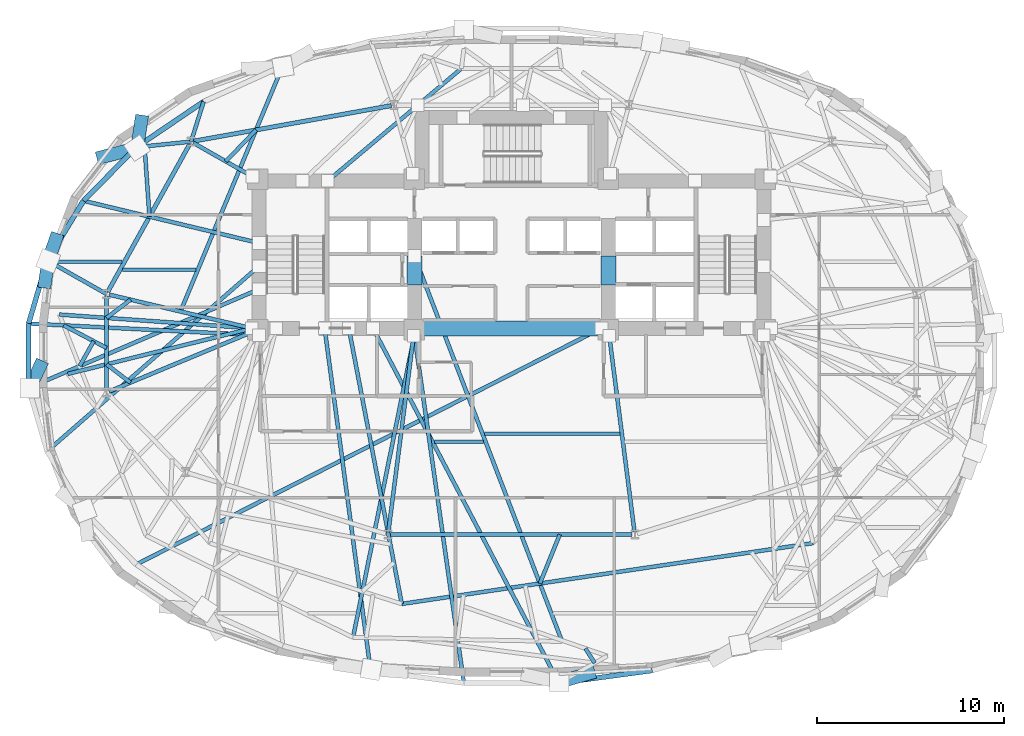
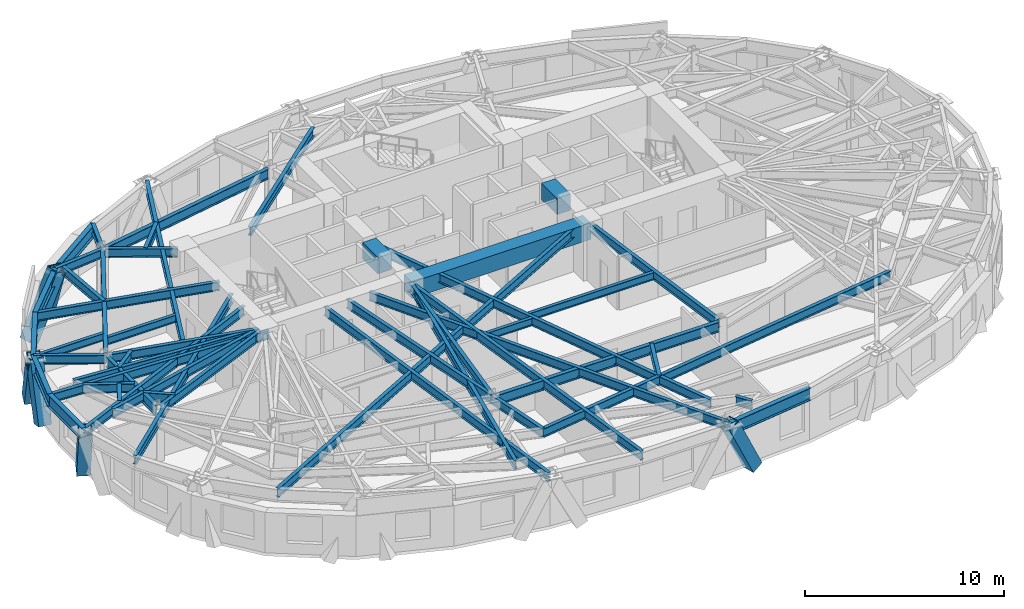
# One storey, part 2 of 13: 49 beams, 6 members.
"""IFC4 building model written with IfcOpenShell, lengths in metres."""

from ifc_helpers import new_model, si_unit, direction, frame, origin, origin_2d, place, context, subcontext, project, spatial, rectangle, hollow_rectangle, i_section, extrude, material, material_profile, profile_set, type_object, element, save


model = new_model("IFC4")

# Units and contexts
model_context = context("Model", 3, precision=1e-05, world=origin(), true_north=direction((0.0, 1.0)))
body_context = subcontext(model_context, "Body", "Model", "MODEL_VIEW")
ifc_project = project(units=[si_unit("LENGTHUNIT", "METRE"), si_unit("AREAUNIT", "SQUARE_METRE"), si_unit("VOLUMEUNIT", "CUBIC_METRE"), si_unit("PLANEANGLEUNIT", "RADIAN"), si_unit("MASSUNIT", "GRAM", prefix="KILO")], contexts=[model_context])

# Site, building, storey
site_placement = place(None, origin())
site = spatial("IfcSite", under=ifc_project, at=site_placement, CompositionType="ELEMENT")
building_placement = place(site_placement, origin())
building = spatial("IfcBuilding", under=site, at=building_placement, Name="Keldmark Tower", CompositionType="ELEMENT")
storey_placement = place(building_placement, frame((0.0, 0.0, 131.60009765625)))
storey = spatial("IfcBuildingStorey", under=building, at=storey_placement, Name="L35", CompositionType="ELEMENT", Elevation=131.60009765625)

# Beams
ifc_material_1 = material(Name="Steel ASTM A992 Grade 50", Category="steel")
ifc_material_profile_1 = material_profile(ifc_material_1, i_section(OverallWidth=0.19091796875, OverallDepth=0.45703125, WebThickness=0.009033203125, FlangeThickness=0.014404296875, at=origin_2d()), Name="W18X50")
ifc_profile_set_1 = profile_set([ifc_material_profile_1], Name="Steel ASTM A992 Grade 50")
beam_type_1 = type_object("IfcBeamType", Name="Composite Floor Joist W18X50", PredefinedType="JOIST", material=ifc_profile_set_1)
beam_1_placement = place(storey_placement, frame((-4.1240234375, -4.60009765625, 3.031494140625), z_axis=(1.0, 0.0, 0.0), x_axis=(0.0, 1.0, 0.0)))
element("IfcBeam", 1, at=beam_1_placement, inside=storey, type_object=beam_type_1, Name="L35 Composite Floor Joist J07", PredefinedType="JOIST", context=body_context, shape_type="SweptSolid", body=[
    extrude(i_section(OverallWidth=0.19091796875, OverallDepth=0.45703125, WebThickness=0.009033203125, FlangeThickness=0.014404296875, at=origin_2d()), origin(), (0.0, 0.0, 1.0), 2.6328125),
])
beam_2_placement = place(storey_placement, frame((-1.44580078125, -4.179931640625, 3.031494140625), z_axis=(1.0, 0.0, 0.0), x_axis=(0.0, 1.0, 0.0)))
element("IfcBeam", 2, at=beam_2_placement, inside=storey, type_object=beam_type_1, Name="L35 Composite Floor Joist J08", PredefinedType="JOIST", context=body_context, shape_type="SweptSolid", body=[
    extrude(i_section(OverallWidth=0.19091796875, OverallDepth=0.45703125, WebThickness=0.009033203125, FlangeThickness=0.014404296875, at=origin_2d()), origin(), (0.0, 0.0, 1.0), 7.26708984375),
])
beam_3_placement = place(storey_placement, frame((-24.548583984375, 5.0400390625, 3.031494140625), z_axis=(1.0, 0.0, 0.0), x_axis=(0.0, 1.0, 0.0)))
element("IfcBeam", 3, at=beam_3_placement, inside=storey, type_object=beam_type_1, Name="L35 Composite Floor Joist J11", PredefinedType="JOIST", context=body_context, shape_type="SweptSolid", body=[
    extrude(i_section(OverallWidth=0.19091796875, OverallDepth=0.45703125, WebThickness=0.009033203125, FlangeThickness=0.014404296875, at=origin_2d()), origin(), (0.0, 0.0, 1.0), 3.689697265625),
])
beam_4_placement = place(storey_placement, frame((-20.84912109375, 4.6201171875, 3.031494140625), z_axis=(1.0, 0.0, 0.0), x_axis=(0.0, 1.0, 0.0)))
element("IfcBeam", 4, at=beam_4_placement, inside=storey, type_object=beam_type_1, Name="L35 Composite Floor Joist J12", PredefinedType="JOIST", context=body_context, shape_type="SweptSolid", body=[
    extrude(i_section(OverallWidth=0.19091796875, OverallDepth=0.45703125, WebThickness=0.009033203125, FlangeThickness=0.014404296875, at=origin_2d()), origin(), (0.0, 0.0, 1.0), 3.94287109375),
])
ifc_material_2 = material(Name="Concrete C70/85", Category="concrete")
ifc_material_profile_2 = material_profile(ifc_material_2, rectangle(XDim=0.800048828125, YDim=1.0, at=origin_2d()), Name="RCB800X1000")
ifc_profile_set_2 = profile_set([ifc_material_profile_2], Name="Concrete C70/85")
beam_type_2 = type_object("IfcBeamType", Name="Core Coupling Beam RCB800X1000", PredefinedType="USERDEFINED", material=ifc_profile_set_2)
for number, where, z_axis, x_axis, name in (
    (5, (-5.199951171875, 3.800048828125, 2.760009765625), (0.0, 1.0, 0.0), (-1.0, 0.0, 0.0), "L35 West Core Coupling Beam"),
    (6, (5.199951171875, 3.800048828125, 2.760009765625), (0.0, 1.0, 0.0), (-1.0, 0.0, 0.0), "L35 East Core Coupling Beam"),
):
    element("IfcBeam", number, at=place(storey_placement, frame(where, z_axis=z_axis, x_axis=x_axis)), inside=storey, type_object=beam_type_2, Name=name, ObjectType="COUPLING BEAM", PredefinedType="USERDEFINED", context=body_context, shape_type="SweptSolid", body=[
        extrude(rectangle(XDim=0.800048828125, YDim=1.0, at=origin_2d()), origin(), (0.0, 0.0, 1.0), 1.550048828125),
    ])
beam_5_placement = place(storey_placement, frame((-5.199951171875, 1.47509765625, 2.760009765625), z_axis=(1.0, 0.0, 0.0), x_axis=(0.0, 1.0, 0.0)))
element("IfcBeam", 7, at=beam_5_placement, inside=storey, type_object=beam_type_2, Name="L35 Central South Core Coupling Beam", ObjectType="COUPLING BEAM", PredefinedType="USERDEFINED", context=body_context, shape_type="SweptSolid", body=[
    extrude(rectangle(XDim=0.800048828125, YDim=1.0, at=origin_2d()), origin(), (0.0, 0.0, 1.0), 10.39990234375),
])

# Members
ifc_material_3 = material(Name="Steel ASTM A572 Grade 50", Category="steel")
ifc_material_profile_3 = material_profile(ifc_material_3, hollow_rectangle(XDim=0.699951171875, YDim=0.699951171875, WallThickness=0.044921875, at=origin_2d()), Name="BOX700X700X45")
ifc_profile_set_3 = profile_set([ifc_material_profile_3], Name="Steel ASTM A572 Grade 50")
member_type = type_object("IfcMemberType", Name="Diagrid Zone 2 Brace BOX700X700X45", PredefinedType="BRACE", material=ifc_profile_set_3)
member_1_placement = place(storey_placement, frame((-19.839599609375, 12.574462890625, -0.27001953125), z_axis=(-0.059501710363, -0.388999013546, 0.919314589204), x_axis=(0.988502815253, -0.151202461081, 0.0)))
element("IfcMember", 8, at=member_1_placement, inside=storey, type_object=member_type, Name="L35 Perimeter Diagrid Brace 06B", PredefinedType="BRACE", context=body_context, shape_type="SweptSolid", body=[
    extrude(hollow_rectangle(XDim=0.699951171875, YDim=0.699951171875, WallThickness=0.044921875, at=origin_2d()), origin(), (0.0, 0.0, 1.0), 3.709228515625),
])
member_2_placement = place(storey_placement, frame((-21.91748046875, 10.656494140625, -0.27001953125), z_axis=(0.476278307764, 0.123417229338, 0.870590122306), x_axis=(-0.250843447389, 0.968027667426, 0.0)))
element("IfcMember", 9, at=member_2_placement, inside=storey, type_object=member_type, Name="L35 Perimeter Diagrid Brace 07A", PredefinedType="BRACE", context=body_context, shape_type="SweptSolid", body=[
    extrude(hollow_rectangle(XDim=0.699951171875, YDim=0.699951171875, WallThickness=0.044921875, at=origin_2d()), origin(), (0.0, 0.0, 1.0), 3.916748046875),
])
member_3_placement = place(storey_placement, frame((-24.4228515625, 6.2392578125, -0.27001953125), z_axis=(-0.111684456383, -0.318270369969, 0.941398190885), x_axis=(0.943590124458, -0.331115806063, 0.0)))
element("IfcMember", 10, at=member_3_placement, inside=storey, type_object=member_type, Name="L35 Perimeter Diagrid Brace 07B", PredefinedType="BRACE", context=body_context, shape_type="SweptSolid", body=[
    extrude(hollow_rectangle(XDim=0.699951171875, YDim=0.699951171875, WallThickness=0.044921875, at=origin_2d()), origin(), (0.0, 0.0, 1.0), 3.6220703125),
])
member_4_placement = place(storey_placement, frame((-24.991455078125, 3.9619140625, -0.27001953125), z_axis=(0.046820299466, 0.315595960606, 0.947737858908), x_axis=(-0.989173752525, 0.146749062404, 0.0)))
element("IfcMember", 11, at=member_4_placement, inside=storey, type_object=member_type, Name="L35 Perimeter Diagrid Brace 08A", PredefinedType="BRACE", context=body_context, shape_type="SweptSolid", body=[
    extrude(hollow_rectangle(XDim=0.699951171875, YDim=0.699951171875, WallThickness=0.044921875, at=origin_2d()), origin(), (0.0, 0.0, 1.0), 3.597900390625),
])
member_5_placement = place(storey_placement, frame((-25.268310546875, -0.569580078125, -0.27001953125), z_axis=(-0.150068834248, -0.319231247853, 0.935719378544), x_axis=(0.904990797858, -0.425431141071, 0.0)))
element("IfcMember", 12, at=member_5_placement, inside=storey, type_object=member_type, Name="L35 Perimeter Diagrid Brace 08B", PredefinedType="BRACE", context=body_context, shape_type="SweptSolid", body=[
    extrude(hollow_rectangle(XDim=0.699951171875, YDim=0.699951171875, WallThickness=0.044921875, at=origin_2d()), origin(), (0.0, 0.0, 1.0), 3.64404296875),
])
member_6_placement = place(storey_placement, frame((4.17578125, -17.018798828125, -0.27001953125), z_axis=(-0.42886921394, -0.119942346679, 0.895368656369), x_axis=(0.269336240125, -0.963046203334, 0.0)))
element("IfcMember", 13, at=member_6_placement, inside=storey, type_object=member_type, Name="L35 Perimeter Diagrid Brace 13A", PredefinedType="BRACE", context=body_context, shape_type="SweptSolid", body=[
    extrude(hollow_rectangle(XDim=0.699951171875, YDim=0.699951171875, WallThickness=0.044921875, at=origin_2d()), origin(), (0.0, 0.0, 1.0), 3.808349609375),
])

# Beams
ifc_material_4 = material(Name="Steel ASTM A992 Grade 50", Category="steel")
ifc_material_profile_4 = material_profile(ifc_material_4, i_section(OverallWidth=0.22900390625, OverallDepth=0.612060546875, WebThickness=0.011962890625, FlangeThickness=0.01953125, at=origin_2d()), Name="W24X84")
ifc_profile_set_4 = profile_set([ifc_material_profile_4], Name="Steel ASTM A992 Grade 50")
beam_type_3 = type_object("IfcBeamType", Name="Primary Floor Girder W24X84", PredefinedType="BEAM", material=ifc_profile_set_4)
beam_6_placement = place(storey_placement, frame((-6.4365234375, 13.40771484375, 2.953857421875), z_axis=(-0.984218266992, -0.176958760505, 0.0), x_axis=(0.176958760505, -0.984218266992, 0.0)))
element("IfcBeam", 14, at=beam_6_placement, inside=storey, type_object=beam_type_3, Name="L35 Floor Ring Girder FG-R04", PredefinedType="BEAM", context=body_context, shape_type="SweptSolid", body=[
    extrude(i_section(OverallWidth=0.22900390625, OverallDepth=0.612060546875, WebThickness=0.011962890625, FlangeThickness=0.01953125, at=origin_2d()), origin(), (0.0, 0.0, 1.0), 10.7626953125),
])
beam_7_placement = place(storey_placement, frame((-17.235107421875, 11.35595703125, 2.953857421875), z_axis=(-0.484951836703, -0.874540860154, 0.0), x_axis=(0.874540860154, -0.484951836703, 0.0)))
element("IfcBeam", 15, at=beam_7_placement, inside=storey, type_object=beam_type_3, Name="L35 Floor Ring Girder FG-R05", PredefinedType="BEAM", context=body_context, shape_type="SweptSolid", body=[
    extrude(i_section(OverallWidth=0.22900390625, OverallDepth=0.612060546875, WebThickness=0.011962890625, FlangeThickness=0.01953125, at=origin_2d()), origin(), (0.0, 0.0, 1.0), 9.060302734375),
])
beam_8_placement = place(storey_placement, frame((-21.697021484375, 3.169921875, 2.953857421875), z_axis=(0.0, -1.0, 0.0), x_axis=(1.0, 0.0, 0.0)))
element("IfcBeam", 16, at=beam_8_placement, inside=storey, type_object=beam_type_3, Name="L35 Floor Ring Girder FG-R06", PredefinedType="BEAM", context=body_context, shape_type="SweptSolid", body=[
    extrude(i_section(OverallWidth=0.22900390625, OverallDepth=0.612060546875, WebThickness=0.011962890625, FlangeThickness=0.01953125, at=origin_2d()), origin(), (0.0, 0.0, 1.0), 4.995849609375),
])
beam_9_placement = place(storey_placement, frame((-6.472900390625, -9.579345703125, 2.953857421875), z_axis=(1.0, 0.0, 0.0), x_axis=(0.0, 1.0, 0.0)))
element("IfcBeam", 17, at=beam_9_placement, inside=storey, type_object=beam_type_3, Name="L35 Floor Ring Girder FG-R09", PredefinedType="BEAM", context=body_context, shape_type="SweptSolid", body=[
    extrude(i_section(OverallWidth=0.22900390625, OverallDepth=0.612060546875, WebThickness=0.011962890625, FlangeThickness=0.01953125, at=origin_2d()), origin(), (0.0, 0.0, 1.0), 12.94580078125),
])
ifc_material_5 = material(Name="Steel ASTM A992 Grade 50", Category="steel")
ifc_material_profile_5 = material_profile(ifc_material_5, i_section(OverallWidth=0.2099609375, OverallDepth=0.537109375, WebThickness=0.010986328125, FlangeThickness=0.017333984375, at=origin_2d()), Name="W21X68")
ifc_profile_set_5 = profile_set([ifc_material_profile_5], Name="Steel ASTM A992 Grade 50")
beam_type_4 = type_object("IfcBeamType", Name="Radial Tie Girder W21X68", PredefinedType="BEAM", material=ifc_profile_set_5)
beam_10_placement = place(storey_placement, frame((-17.04541015625, 11.4091796875, 2.991455078125), z_axis=(0.86928447329, -0.494312152892, 0.0), x_axis=(0.494312152892, 0.86928447329, 0.0)))
element("IfcBeam", 18, at=beam_10_placement, inside=storey, type_object=beam_type_4, Name="L35 Floor Radial Girder FG-C05", PredefinedType="BEAM", context=body_context, shape_type="SweptSolid", body=[
    extrude(i_section(OverallWidth=0.2099609375, OverallDepth=0.537109375, WebThickness=0.010986328125, FlangeThickness=0.017333984375, at=origin_2d()), origin(), (0.0, 0.0, 1.0), 3.6435546875),
])
beam_11_placement = place(storey_placement, frame((-21.560546875, 3.27783203125, 2.991455078125), z_axis=(0.973283778272, -0.229605502879, 0.0), x_axis=(0.229605502879, 0.973283778272, 0.0)))
element("IfcBeam", 19, at=beam_11_placement, inside=storey, type_object=beam_type_4, Name="L35 Floor Radial Girder FG-C06", PredefinedType="BEAM", context=body_context, shape_type="SweptSolid", body=[
    extrude(i_section(OverallWidth=0.2099609375, OverallDepth=0.537109375, WebThickness=0.010986328125, FlangeThickness=0.017333984375, at=origin_2d()), origin(), (0.0, 0.0, 1.0), 7.85888671875),
])
beam_12_placement = place(storey_placement, frame((-21.567626953125, -1.912109375, 2.991455078125), z_axis=(0.923397393633, 0.383845350932, 0.0), x_axis=(-0.383845350932, 0.923397393633, 0.0)))
element("IfcBeam", 20, at=beam_12_placement, inside=storey, type_object=beam_type_4, Name="L35 Floor Radial Girder FG-C07", PredefinedType="BEAM", context=body_context, shape_type="SweptSolid", body=[
    extrude(i_section(OverallWidth=0.2099609375, OverallDepth=0.537109375, WebThickness=0.010986328125, FlangeThickness=0.017333984375, at=origin_2d()), origin(), (0.0, 0.0, 1.0), 8.30859375),
])
for number, where, z_axis, x_axis, name in (
    (21, (-6.594970703125, -9.4404296875, 2.991455078125), (0.127642040045, 0.991820301069, 0.0), (-0.991820301069, 0.127642040045, 0.0), "L35 Floor Radial Girder FG-C09"),
    (22, (6.594970703125, -9.4404296875, 2.991455078125), (-0.127642040045, 0.991820301069, 0.0), (-0.991820301069, -0.127642040045, 0.0), "L35 Floor Radial Girder FG-C10"),
):
    element("IfcBeam", number, at=place(storey_placement, frame(where, z_axis=z_axis, x_axis=x_axis)), inside=storey, type_object=beam_type_4, Name=name, PredefinedType="BEAM", context=body_context, shape_type="SweptSolid", body=[
        extrude(i_section(OverallWidth=0.2099609375, OverallDepth=0.537109375, WebThickness=0.010986328125, FlangeThickness=0.017333984375, at=origin_2d()), origin(), (0.0, 0.0, 1.0), 10.609619140625),
    ])
beam_13_placement = place(storey_placement, frame((-9.83935546875, 9.375, 2.991455078125), z_axis=(0.765223027073, 0.643765266877, 0.0), x_axis=(-0.643765266877, 0.765223027073, 0.0)))
element("IfcBeam", 23, at=beam_13_placement, inside=storey, type_object=beam_type_4, Name="L35 Sub-Ring Step Girder STP1-M04", PredefinedType="BEAM", context=body_context, shape_type="SweptSolid", body=[
    extrude(i_section(OverallWidth=0.2099609375, OverallDepth=0.537109375, WebThickness=0.010986328125, FlangeThickness=0.017333984375, at=origin_2d()), origin(), (0.0, 0.0, 1.0), 9.35693359375),
])
beam_14_placement = place(storey_placement, frame((-20.416748046875, -1.433837890625, 2.991455078125), z_axis=(-0.794658823742, 0.607056302042, 0.0), x_axis=(-0.607056302042, -0.794658823742, 0.0)))
element("IfcBeam", 24, at=beam_14_placement, inside=storey, type_object=beam_type_4, Name="L35 Framing Pin Header PH-003", PredefinedType="BEAM", context=body_context, shape_type="SweptSolid", body=[
    extrude(i_section(OverallWidth=0.2099609375, OverallDepth=0.537109375, WebThickness=0.010986328125, FlangeThickness=0.017333984375, at=origin_2d()), origin(), (0.0, 0.0, 1.0), 1.611083984375),
])
beam_15_placement = place(storey_placement, frame((-13.89990234375, 1.47509765625, 2.991455078125), z_axis=(-0.970676556141, -0.24038931623, 0.0), x_axis=(0.24038931623, -0.970676556141, 0.0)))
element("IfcBeam", 25, at=beam_15_placement, inside=storey, type_object=beam_type_4, Name="L35 Sub-Ring Step Girder STP1-M07", PredefinedType="BEAM", context=body_context, shape_type="SweptSolid", body=[
    extrude(i_section(OverallWidth=0.2099609375, OverallDepth=0.537109375, WebThickness=0.010986328125, FlangeThickness=0.017333984375, at=origin_2d()), origin(), (0.0, 0.0, 1.0), 10.17333984375),
])
beam_16_placement = place(storey_placement, frame((-8.71435546875, 1.47509765625, 2.991455078125), z_axis=(0.188787186137, -0.982018023435, 0.0), x_axis=(0.982018023435, 0.188787186137, 0.0)))
element("IfcBeam", 26, at=beam_16_placement, inside=storey, type_object=beam_type_4, Name="L35 Sub-Ring Step Girder STP1-M09", PredefinedType="BEAM", context=body_context, shape_type="SweptSolid", body=[
    extrude(i_section(OverallWidth=0.2099609375, OverallDepth=0.537109375, WebThickness=0.010986328125, FlangeThickness=0.017333984375, at=origin_2d()), origin(), (0.0, 0.0, 1.0), 15.0400390625),
])
beam_17_placement = place(storey_placement, frame((-5.875, -13.29443359375, 2.991455078125), z_axis=(0.989243670768, 0.14627699698, 0.0), x_axis=(-0.14627699698, 0.989243670768, 0.0)))
element("IfcBeam", 27, at=beam_17_placement, inside=storey, type_object=beam_type_4, Name="L35 Perimeter Collector Ring Beam CRG1-M09", PredefinedType="BEAM", context=body_context, shape_type="SweptSolid", body=[
    extrude(i_section(OverallWidth=0.2099609375, OverallDepth=0.537109375, WebThickness=0.010986328125, FlangeThickness=0.017333984375, at=origin_2d()), origin(), (0.0, 0.0, 1.0), 22.2783203125),
])
beam_18_placement = place(storey_placement, frame((-20.4130859375, 3.007080078125, 2.991455078125), z_axis=(-0.796077594806, -0.605194566274, 0.0), x_axis=(0.605194566274, -0.796077594806, 0.0)))
element("IfcBeam", 28, at=beam_18_placement, inside=storey, type_object=beam_type_4, Name="L35 Framing Pin Header PH-009", PredefinedType="BEAM", context=body_context, shape_type="SweptSolid", body=[
    extrude(i_section(OverallWidth=0.2099609375, OverallDepth=0.537109375, WebThickness=0.010986328125, FlangeThickness=0.017333984375, at=origin_2d()), origin(), (0.0, 0.0, 1.0), 1.61279296875),
])
beam_19_placement = place(storey_placement, frame((-13.89990234375, 1.47509765625, 2.991455078125), z_axis=(-0.997466717725, 0.071134710456, 0.0), x_axis=(-0.071134710456, -0.997466717725, 0.0)))
element("IfcBeam", 29, at=beam_19_placement, inside=storey, type_object=beam_type_4, Name="L35 Sub-Ring Step Girder STP2-M07", PredefinedType="BEAM", context=body_context, shape_type="SweptSolid", body=[
    extrude(i_section(OverallWidth=0.2099609375, OverallDepth=0.537109375, WebThickness=0.010986328125, FlangeThickness=0.017333984375, at=origin_2d()), origin(), (0.0, 0.0, 1.0), 10.34765625),
])
beam_20_placement = place(storey_placement, frame((-5.199951171875, 1.10009765625, 2.991455078125), z_axis=(-0.198999610874, -0.979999568812, 0.0), x_axis=(0.979999568812, -0.198999610874, 0.0)))
element("IfcBeam", 30, at=beam_20_placement, inside=storey, type_object=beam_type_4, Name="L35 Sub-Ring Step Girder STP2-M09", PredefinedType="BEAM", context=body_context, shape_type="SweptSolid", body=[
    extrude(i_section(OverallWidth=0.2099609375, OverallDepth=0.537109375, WebThickness=0.010986328125, FlangeThickness=0.017333984375, at=origin_2d()), origin(), (0.0, 0.0, 1.0), 16.521728515625),
])
beam_21_placement = place(storey_placement, frame((2.589111328125, -9.579345703125, 2.991455078125), z_axis=(-0.376562201286, -0.926391336619, 0.0), x_axis=(0.926391336619, -0.376562201286, 0.0)))
element("IfcBeam", 31, at=beam_21_placement, inside=storey, type_object=beam_type_4, Name="L35 Framing Pin Header PH-012", PredefinedType="BEAM", context=body_context, shape_type="SweptSolid", body=[
    extrude(i_section(OverallWidth=0.2099609375, OverallDepth=0.537109375, WebThickness=0.010986328125, FlangeThickness=0.017333984375, at=origin_2d()), origin(), (0.0, 0.0, 1.0), 2.829345703125),
])
beam_22_placement = place(storey_placement, frame((-5.199951171875, 5.35009765625, 2.991455078125), z_axis=(0.357739406465, -0.933821458878, 0.0), x_axis=(0.933821458878, 0.357739406465, 0.0)))
element("IfcBeam", 32, at=beam_22_placement, inside=storey, type_object=beam_type_4, Name="L35 Sub-Ring Step Girder STP2-M10", PredefinedType="BEAM", context=body_context, shape_type="SweptSolid", body=[
    extrude(i_section(OverallWidth=0.2099609375, OverallDepth=0.537109375, WebThickness=0.010986328125, FlangeThickness=0.017333984375, at=origin_2d()), origin(), (0.0, 0.0, 1.0), 22.123779296875),
])
beam_23_placement = place(storey_placement, frame((-15.303466796875, 10.418701171875, 2.991455078125), z_axis=(0.692322938511, 0.721587797023, 0.0), x_axis=(-0.721587797023, 0.692322938511, 0.0)))
element("IfcBeam", 33, at=beam_23_placement, inside=storey, type_object=beam_type_4, Name="L35 Framing Pin Header PH-019", PredefinedType="BEAM", context=body_context, shape_type="SweptSolid", body=[
    extrude(i_section(OverallWidth=0.2099609375, OverallDepth=0.537109375, WebThickness=0.010986328125, FlangeThickness=0.017333984375, at=origin_2d()), origin(), (0.0, 0.0, 1.0), 2.3359375),
])
beam_24_placement = place(storey_placement, frame((-17.736083984375, 2.375732421875, 2.991455078125), z_axis=(0.384305341623, 0.923206046557, 0.0), x_axis=(-0.923206046557, 0.384305341623, 0.0)))
element("IfcBeam", 34, at=beam_24_placement, inside=storey, type_object=beam_type_4, Name="L35 Perimeter Radial Tie Girder RT-11", PredefinedType="BEAM", context=body_context, shape_type="SweptSolid", body=[
    extrude(i_section(OverallWidth=0.2099609375, OverallDepth=0.537109375, WebThickness=0.010986328125, FlangeThickness=0.017333984375, at=origin_2d()), origin(), (0.0, 0.0, 1.0), 14.2587890625),
])
beam_25_placement = place(storey_placement, frame((-17.1669921875, 11.478271484375, 2.991455078125), z_axis=(0.299673911383, 0.954041690303, 0.0), x_axis=(-0.954041690303, 0.299673911383, 0.0)))
element("IfcBeam", 35, at=beam_25_placement, inside=storey, type_object=beam_type_4, Name="L35 Perimeter Column Bracket RT-12", PredefinedType="BEAM", context=body_context, shape_type="SweptSolid", body=[
    extrude(i_section(OverallWidth=0.2099609375, OverallDepth=0.537109375, WebThickness=0.010986328125, FlangeThickness=0.017333984375, at=origin_2d()), origin(), (0.0, 0.0, 1.0), 2.245361328125),
])
beam_26_placement = place(storey_placement, frame((-17.1669921875, 11.478271484375, 2.991455078125), z_axis=(-0.994793936975, -0.101906932829, 0.0), x_axis=(0.101906932829, -0.994793936975, 0.0)))
element("IfcBeam", 36, at=beam_26_placement, inside=storey, type_object=beam_type_4, Name="L35 Perimeter Column Bracket RT-13", PredefinedType="BEAM", context=body_context, shape_type="SweptSolid", body=[
    extrude(i_section(OverallWidth=0.2099609375, OverallDepth=0.537109375, WebThickness=0.010986328125, FlangeThickness=0.017333984375, at=origin_2d()), origin(), (0.0, 0.0, 1.0), 2.94677734375),
])
beam_27_placement = place(storey_placement, frame((-19.65869140625, 11.222900390625, 2.991455078125), z_axis=(0.06911940974, -0.997608393708, 0.0), x_axis=(0.997608393708, 0.06911940974, 0.0)))
element("IfcBeam", 37, at=beam_27_placement, inside=storey, type_object=beam_type_4, Name="L35 Framing Pin Header PH-020", PredefinedType="BEAM", context=body_context, shape_type="SweptSolid", body=[
    extrude(i_section(OverallWidth=0.2099609375, OverallDepth=0.537109375, WebThickness=0.010986328125, FlangeThickness=0.017333984375, at=origin_2d()), origin(), (0.0, 0.0, 1.0), 3.77587890625),
])
beam_28_placement = place(storey_placement, frame((-13.52490234375, 6.04296875, 2.991455078125), z_axis=(-0.972252663878, 0.233933233172, 0.0), x_axis=(-0.233933233172, -0.972252663878, 0.0)))
element("IfcBeam", 38, at=beam_28_placement, inside=storey, type_object=beam_type_4, Name="L35 Perimeter Radial Tie Girder RT-14", PredefinedType="BEAM", context=body_context, shape_type="SweptSolid", body=[
    extrude(i_section(OverallWidth=0.2099609375, OverallDepth=0.537109375, WebThickness=0.010986328125, FlangeThickness=0.017333984375, at=origin_2d()), origin(), (0.0, 0.0, 1.0), 9.67333984375),
])
beam_29_placement = place(storey_placement, frame((-21.697021484375, 3.309814453125, 2.991455078125), z_axis=(-0.869901017137, 0.493226337886, 0.0), x_axis=(-0.493226337886, -0.869901017137, 0.0)))
element("IfcBeam", 39, at=beam_29_placement, inside=storey, type_object=beam_type_4, Name="L35 Perimeter Column Bracket RT-15", PredefinedType="BEAM", context=body_context, shape_type="SweptSolid", body=[
    extrude(i_section(OverallWidth=0.2099609375, OverallDepth=0.537109375, WebThickness=0.010986328125, FlangeThickness=0.017333984375, at=origin_2d()), origin(), (0.0, 0.0, 1.0), 3.659423828125),
])
beam_30_placement = place(storey_placement, frame((-21.697021484375, 0.422119140625, 2.991455078125), z_axis=(-0.884885586203, 0.465808436303, 0.0), x_axis=(-0.465808436303, -0.884885586203, 0.0)))
element("IfcBeam", 40, at=beam_30_placement, inside=storey, type_object=beam_type_4, Name="L35 Framing Pin Header PH-021", PredefinedType="BEAM", context=body_context, shape_type="SweptSolid", body=[
    extrude(i_section(OverallWidth=0.2099609375, OverallDepth=0.537109375, WebThickness=0.010986328125, FlangeThickness=0.017333984375, at=origin_2d()), origin(), (0.0, 0.0, 1.0), 2.596435546875),
])
beam_31_placement = place(storey_placement, frame((-13.52490234375, 1.10009765625, 2.991455078125), z_axis=(-0.998713890105, 0.05070074666, 0.0), x_axis=(-0.05070074666, -0.998713890105, 0.0)))
element("IfcBeam", 41, at=beam_31_placement, inside=storey, type_object=beam_type_4, Name="L35 Perimeter Radial Tie Girder RT-16", PredefinedType="BEAM", context=body_context, shape_type="SweptSolid", body=[
    extrude(i_section(OverallWidth=0.2099609375, OverallDepth=0.537109375, WebThickness=0.010986328125, FlangeThickness=0.017333984375, at=origin_2d()), origin(), (0.0, 0.0, 1.0), 12.36572265625),
])
beam_32_placement = place(storey_placement, frame((-22.38623046875, 0.784912109375, 2.991455078125), z_axis=(-0.490480057531, -0.871452415892, 0.0), x_axis=(0.871452415892, -0.490480057531, 0.0)))
element("IfcBeam", 42, at=beam_32_placement, inside=storey, type_object=beam_type_4, Name="L35 Framing Pin Header PH-022", PredefinedType="BEAM", context=body_context, shape_type="SweptSolid", body=[
    extrude(i_section(OverallWidth=0.2099609375, OverallDepth=0.537109375, WebThickness=0.010986328125, FlangeThickness=0.017333984375, at=origin_2d()), origin(), (0.0, 0.0, 1.0), 1.5361328125),
])
beam_33_placement = place(storey_placement, frame((-13.52490234375, 3.5712890625, 2.991455078125), z_axis=(-0.918995553085, -0.394267895484, 0.0), x_axis=(0.394267895484, -0.918995553085, 0.0)))
element("IfcBeam", 43, at=beam_33_placement, inside=storey, type_object=beam_type_4, Name="L35 Perimeter Radial Tie Girder RT-17", PredefinedType="BEAM", context=body_context, shape_type="SweptSolid", body=[
    extrude(i_section(OverallWidth=0.2099609375, OverallDepth=0.537109375, WebThickness=0.010986328125, FlangeThickness=0.017333984375, at=origin_2d()), origin(), (0.0, 0.0, 1.0), 13.4384765625),
])
beam_34_placement = place(storey_placement, frame((-13.52490234375, 4.80712890625, 2.991455078125), z_axis=(-0.753041869605, -0.657972600206, 0.0), x_axis=(0.657972600206, -0.753041869605, 0.0)))
element("IfcBeam", 44, at=beam_34_placement, inside=storey, type_object=beam_type_4, Name="L35 Perimeter Radial Tie Girder RT-18", PredefinedType="BEAM", context=body_context, shape_type="SweptSolid", body=[
    extrude(i_section(OverallWidth=0.2099609375, OverallDepth=0.537109375, WebThickness=0.010986328125, FlangeThickness=0.017333984375, at=origin_2d()), origin(), (0.0, 0.0, 1.0), 15.079345703125),
])
beam_35_placement = place(storey_placement, frame((4.824951171875, 1.47509765625, 2.991455078125), z_axis=(-0.891671271251, -0.452683492106, 0.0), x_axis=(0.452683492106, -0.891671271251, 0.0)))
element("IfcBeam", 45, at=beam_35_placement, inside=storey, type_object=beam_type_4, Name="L35 Perimeter Radial Tie Girder RT-20", PredefinedType="BEAM", context=body_context, shape_type="SweptSolid", body=[
    extrude(i_section(OverallWidth=0.2099609375, OverallDepth=0.537109375, WebThickness=0.010986328125, FlangeThickness=0.017333984375, at=origin_2d()), origin(), (0.0, 0.0, 1.0), 27.951171875),
])
beam_36_placement = place(storey_placement, frame((-10.0107421875, 1.47509765625, 2.991455078125), z_axis=(0.133147301951, -0.991096259696, 0.0), x_axis=(0.991096259696, 0.133147301951, 0.0)))
element("IfcBeam", 46, at=beam_36_placement, inside=storey, type_object=beam_type_4, Name="L35 Perimeter Radial Tie Girder RT-23", PredefinedType="BEAM", context=body_context, shape_type="SweptSolid", body=[
    extrude(i_section(OverallWidth=0.2099609375, OverallDepth=0.537109375, WebThickness=0.010986328125, FlangeThickness=0.017333984375, at=origin_2d()), origin(), (0.0, 0.0, 1.0), 18.501220703125),
])
beam_37_placement = place(storey_placement, frame((-5.199951171875, 1.10009765625, 2.991455078125), z_axis=(0.140871131522, -0.990027941173, 0.0), x_axis=(0.990027941173, 0.140871131522, 0.0)))
element("IfcBeam", 47, at=beam_37_placement, inside=storey, type_object=beam_type_4, Name="L35 Perimeter Radial Tie Girder RT-24", PredefinedType="BEAM", context=body_context, shape_type="SweptSolid", body=[
    extrude(i_section(OverallWidth=0.2099609375, OverallDepth=0.537109375, WebThickness=0.010986328125, FlangeThickness=0.017333984375, at=origin_2d()), origin(), (0.0, 0.0, 1.0), 18.822998046875),
])
beam_38_placement = place(storey_placement, frame((-7.41796875, 1.47509765625, 2.991455078125), z_axis=(0.464319777951, -0.885667626033, 0.0), x_axis=(0.885667626033, 0.464319777951, 0.0)))
element("IfcBeam", 48, at=beam_38_placement, inside=storey, type_object=beam_type_4, Name="L35 Perimeter Radial Tie Girder RT-25", PredefinedType="BEAM", context=body_context, shape_type="SweptSolid", body=[
    extrude(i_section(OverallWidth=0.2099609375, OverallDepth=0.537109375, WebThickness=0.010986328125, FlangeThickness=0.017333984375, at=origin_2d()), origin(), (0.0, 0.0, 1.0), 21.46435546875),
])
beam_39_placement = place(storey_placement, frame((3.96435546875, -15.683349609375, 2.991455078125), z_axis=(0.538483182606, -0.842636257261, 0.0), x_axis=(0.842636257261, 0.538483182606, 0.0)))
element("IfcBeam", 49, at=beam_39_placement, inside=storey, type_object=beam_type_4, Name="L35 Framing Pin Header PH-031", PredefinedType="BEAM", context=body_context, shape_type="SweptSolid", body=[
    extrude(i_section(OverallWidth=0.2099609375, OverallDepth=0.537109375, WebThickness=0.010986328125, FlangeThickness=0.017333984375, at=origin_2d()), origin(), (0.0, 0.0, 1.0), 0.923095703125),
])
ifc_material_6 = material(Name="Steel ASTM A992 Grade 50", Category="steel")
ifc_material_profile_6 = material_profile(ifc_material_6, i_section(OverallWidth=0.26806640625, OverallDepth=0.77001953125, WebThickness=0.015625, FlangeThickness=0.025390625, at=origin_2d()), Name="W30X132")
ifc_profile_set_6 = profile_set([ifc_material_profile_6], Name="Steel ASTM A992 Grade 50")
beam_type_5 = type_object("IfcBeamType", Name="Spandrel Ring Beam W30X132", PredefinedType="SPANDREL", material=ifc_profile_set_6)
beam_40_placement = place(storey_placement, frame((-16.494140625, 13.620361328125, 2.875), z_axis=(-0.827833848723, -0.560973367379, 0.0), x_axis=(0.560973367379, -0.827833848723, 0.0)))
element("IfcBeam", 50, at=beam_40_placement, inside=storey, type_object=beam_type_5, Name="L35 Perimeter Spandrel Ring Beam SRB-12", PredefinedType="SPANDREL", context=body_context, shape_type="SweptSolid", body=[
    extrude(i_section(OverallWidth=0.26806640625, OverallDepth=0.77001953125, WebThickness=0.015625, FlangeThickness=0.025390625, at=origin_2d()), origin(), (0.0, 0.0, 1.0), 4.353759765625),
])
beam_41_placement = place(storey_placement, frame((-20.098388671875, 11.177978515625, 2.875), z_axis=(-0.702064671311, -0.712113191352, 0.0), x_axis=(0.712113191352, -0.702064671311, 0.0)))
element("IfcBeam", 51, at=beam_41_placement, inside=storey, type_object=beam_type_5, Name="L35 Perimeter Spandrel Ring Beam SRB-13", PredefinedType="SPANDREL", context=body_context, shape_type="SweptSolid", body=[
    extrude(i_section(OverallWidth=0.26806640625, OverallDepth=0.77001953125, WebThickness=0.015625, FlangeThickness=0.025390625, at=origin_2d()), origin(), (0.0, 0.0, 1.0), 4.033203125),
])
beam_42_placement = place(storey_placement, frame((-22.929931640625, 8.305908203125, 2.875), z_axis=(-0.521505457928, -0.853247945999, 0.0), x_axis=(0.853247945999, -0.521505457928, 0.0)))
element("IfcBeam", 52, at=beam_42_placement, inside=storey, type_object=beam_type_5, Name="L35 Perimeter Spandrel Ring Beam SRB-14", PredefinedType="SPANDREL", context=body_context, shape_type="SweptSolid", body=[
    extrude(i_section(OverallWidth=0.26806640625, OverallDepth=0.77001953125, WebThickness=0.015625, FlangeThickness=0.025390625, at=origin_2d()), origin(), (0.0, 0.0, 1.0), 3.739990234375),
])
beam_43_placement = place(storey_placement, frame((-24.88037109375, 5.11474609375, 2.875), z_axis=(-0.281645899487, -0.959518414259, 0.0), x_axis=(0.959518414259, -0.281645899487, 0.0)))
element("IfcBeam", 53, at=beam_43_placement, inside=storey, type_object=beam_type_5, Name="L35 Perimeter Spandrel Ring Beam SRB-15", PredefinedType="SPANDREL", context=body_context, shape_type="SweptSolid", body=[
    extrude(i_section(OverallWidth=0.26806640625, OverallDepth=0.77001953125, WebThickness=0.015625, FlangeThickness=0.025390625, at=origin_2d()), origin(), (0.0, 0.0, 1.0), 3.530517578125),
])
beam_44_placement = place(storey_placement, frame((-25.874755859375, 1.72705078125, 2.875), z_axis=(0.0, -1.0, 0.0), x_axis=(1.0, 0.0, 0.0)))
element("IfcBeam", 54, at=beam_44_placement, inside=storey, type_object=beam_type_5, Name="L35 Perimeter Spandrel Ring Beam SRB-16", PredefinedType="SPANDREL", context=body_context, shape_type="SweptSolid", body=[
    extrude(i_section(OverallWidth=0.26806640625, OverallDepth=0.77001953125, WebThickness=0.015625, FlangeThickness=0.025390625, at=origin_2d()), origin(), (0.0, 0.0, 1.0), 3.4541015625),
])
beam_45_placement = place(storey_placement, frame((2.54833984375, -17.53515625, 2.875), z_axis=(0.99103751038, 0.133583880086, 0.0), x_axis=(-0.133583880086, 0.99103751038, 0.0)))
element("IfcBeam", 55, at=beam_45_placement, inside=storey, type_object=beam_type_5, Name="L35 Perimeter Spandrel Ring Beam SRB-25", PredefinedType="SPANDREL", context=body_context, shape_type="SweptSolid", body=[
    extrude(i_section(OverallWidth=0.26806640625, OverallDepth=0.77001953125, WebThickness=0.015625, FlangeThickness=0.025390625, at=origin_2d()), origin(), (0.0, 0.0, 1.0), 5.044189453125),
])

save(model, "model.ifc")
